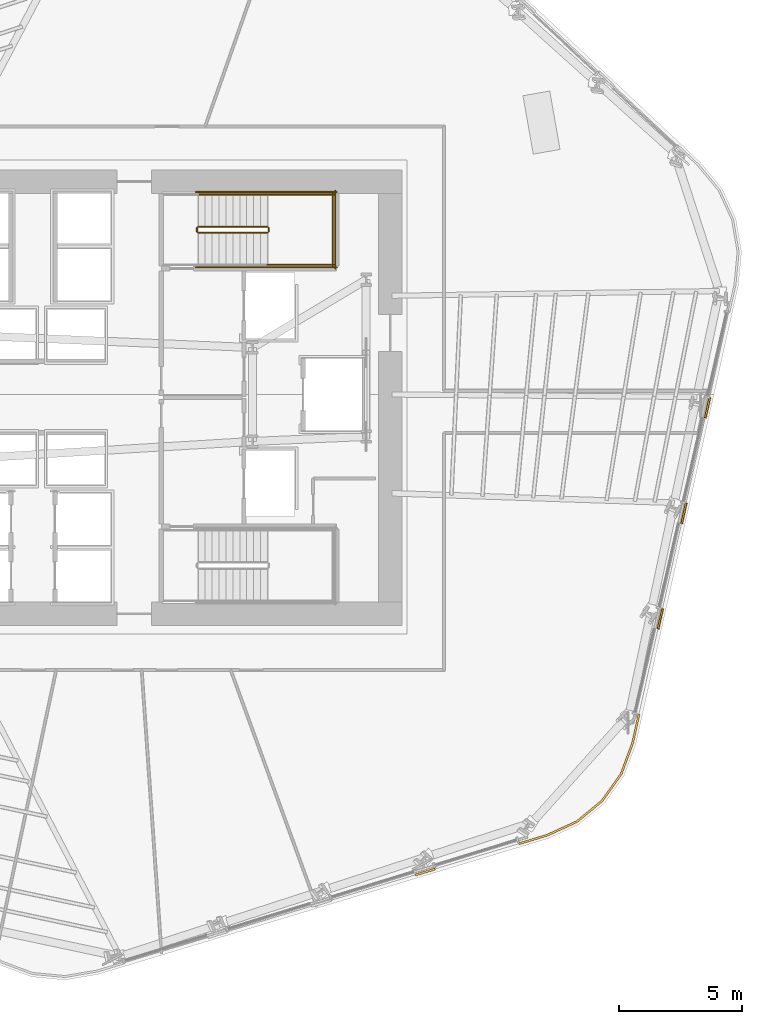
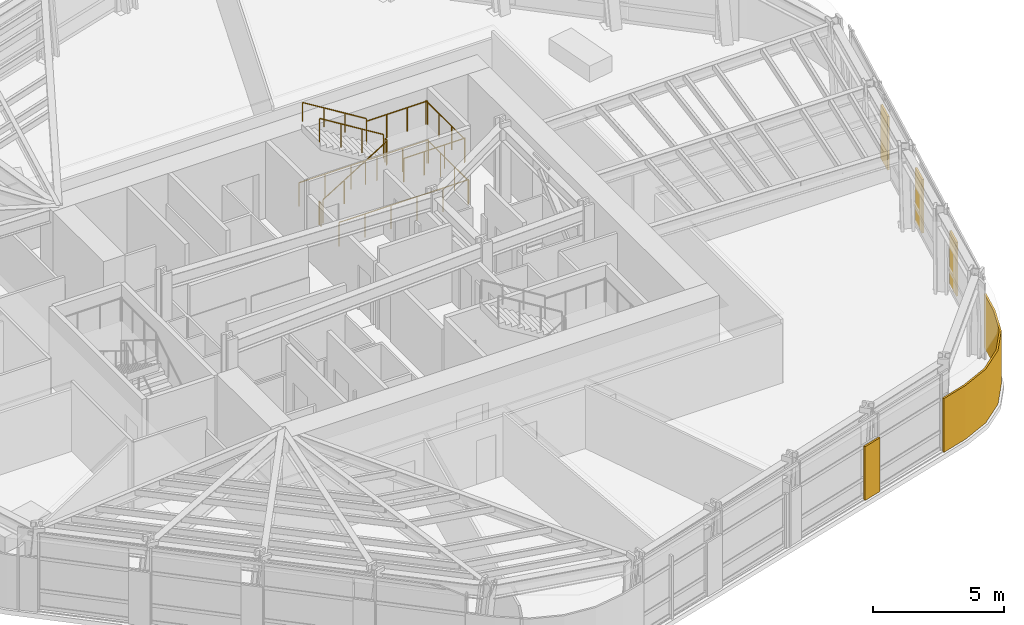
# One storey, part 14 of 16: 11 railings, 5 coverings.
"""IFC4 building model written with IfcOpenShell, lengths in metres."""

from ifc_helpers import new_model, si_unit, direction, frame, origin, origin_2d, place, context, subcontext, project, spatial, polyline, circle, outline, extrude, material, layer, layer_set, type_object, element, save


model = new_model("IFC4")

# Units and contexts
model_context = context("Model", 3, precision=1e-05, world=origin(), true_north=direction((0.0, 1.0)))
body_context = subcontext(model_context, "Body", "Model", "MODEL_VIEW")
ifc_project = project(units=[si_unit("LENGTHUNIT", "METRE"), si_unit("AREAUNIT", "SQUARE_METRE"), si_unit("VOLUMEUNIT", "CUBIC_METRE"), si_unit("PLANEANGLEUNIT", "RADIAN"), si_unit("MASSUNIT", "GRAM", prefix="KILO")], contexts=[model_context])

# Site, building, storey
site_placement = place(None, origin())
site = spatial("IfcSite", under=ifc_project, at=site_placement, CompositionType="ELEMENT")
building_placement = place(site_placement, origin())
building = spatial("IfcBuilding", under=site, at=building_placement, Name="Valkerne Bourse Tower", CompositionType="ELEMENT")
storey_placement = place(building_placement, frame((0.0, 0.0, 97.199951171875)))
storey = spatial("IfcBuildingStorey", under=building, at=storey_placement, Name="L24", CompositionType="ELEMENT", Elevation=97.199951171875)

# Coverings
ifc_material_1 = material(Name="Bronze Anodised Aluminium AA 6063-T6", Category="aluminium")
ifc_layer = layer(ifc_material_1, 0.06005859375)
ifc_layer_set = layer_set([ifc_layer], Name="Bronze Anodised Aluminium AA 6063-T6")
covering_type = type_object("IfcCoveringType", Name="COV-CRN-ALUM", PredefinedType="CLADDING", material=ifc_layer_set)
covering_1_placement = place(storey_placement, origin())
element("IfcCovering", 1, at=covering_1_placement, inside=storey, type_object=covering_type, Name="L24 Wind-Shaped Corner Aluminium Cladding 01", PredefinedType="CLADDING", context=body_context, shape_type="SweptSolid", body=[
    extrude(outline(polyline([(65.306884765625, 11.60400390625), (64.535888671875, 10.518798828125), (63.51025390625, 9.67041015625), (62.294189453125, 9.113525390625), (61.1416015625, 8.765625), (61.1181640625, 8.842041015625), (62.265869140625, 9.188720703125), (63.46728515625, 9.73876953125), (64.476806640625, 10.57373046875), (65.235595703125, 11.6416015625), (65.6962890625, 12.880126953125), (65.957763671875, 14.05029296875), (66.03564453125, 14.0322265625), (65.773193359375, 12.857421875), (65.306884765625, 11.60400390625)])), origin(), (0.0, 0.0, 1.0), 2.5),
])
covering_2_placement = place(storey_placement, origin())
element("IfcCovering", 2, at=covering_2_placement, inside=storey, type_object=covering_type, Name="L24 Wind-Shaped Corner Aluminium Cladding 02", PredefinedType="CLADDING", context=body_context, shape_type="SweptSolid", body=[
    extrude(outline(polyline([(56.945556640625, 7.4990234375), (56.922119140625, 7.57568359375), (57.726318359375, 7.818359375), (57.749755859375, 7.74169921875), (56.945556640625, 7.4990234375)])), origin(), (0.0, 0.0, 1.0), 2.5),
])
covering_3_placement = place(storey_placement, origin())
element("IfcCovering", 3, at=covering_3_placement, inside=storey, type_object=covering_type, Name="L24 Wind-Shaped Corner Aluminium Cladding 22", PredefinedType="CLADDING", context=body_context, shape_type="SweptSolid", body=[
    extrude(outline(polyline([(68.72021484375, 26.045166015625), (68.64208984375, 26.06298828125), (68.8251953125, 26.8828125), (68.9033203125, 26.864990234375), (68.72021484375, 26.045166015625)])), origin(), (0.0, 0.0, 1.0), 2.5),
])
covering_4_placement = place(storey_placement, origin())
element("IfcCovering", 4, at=covering_4_placement, inside=storey, type_object=covering_type, Name="L24 Wind-Shaped Corner Aluminium Cladding 23", PredefinedType="CLADDING", context=body_context, shape_type="SweptSolid", body=[
    extrude(outline(polyline([(67.76416015625, 21.767578125), (67.686279296875, 21.78564453125), (67.869384765625, 22.60546875), (67.947509765625, 22.58740234375), (67.76416015625, 21.767578125)])), origin(), (0.0, 0.0, 1.0), 2.5),
])
covering_5_placement = place(storey_placement, origin())
element("IfcCovering", 5, at=covering_5_placement, inside=storey, type_object=covering_type, Name="L24 Wind-Shaped Corner Aluminium Cladding 24", PredefinedType="CLADDING", context=body_context, shape_type="SweptSolid", body=[
    extrude(outline(polyline([(66.808349609375, 17.489990234375), (66.73046875, 17.508056640625), (66.91357421875, 18.327880859375), (66.99169921875, 18.309814453125), (66.808349609375, 17.489990234375)])), origin(), (0.0, 0.0, 1.0), 2.5),
])

# Railings
ifc_material_2 = material(Name="Galvanised Painted Steel", Category="steel")
railing_type_1 = type_object("IfcRailingType", Name="RLG-ST-GUARD-1120", PredefinedType="GUARDRAIL", material=ifc_material_2)
railing_1_placement = place(storey_placement, frame((48.14990234375, 33.550048828125, 0.1728515625)))
element("IfcRailing", 6, at=railing_1_placement, inside=storey, type_object=railing_type_1, Name="L24 ST-2 stair guard 1", PredefinedType="GUARDRAIL", context=body_context, shape_type="SweptSolid", body=[
    extrude(circle(Radius=0.02392578125, at=origin_2d()), frame((0.0, 0.0, 1.09619140625), z_axis=(0.851089632645, 0.0, 0.525020415988), x_axis=(0.0, 1.0, 0.0)), (0.0, 0.0, 1.0), 3.2900390625),
    extrude(circle(Radius=0.02099609375, at=origin_2d()), origin(), (0.0, 0.0, 1.0), 1.072021484375),
    extrude(circle(Radius=0.02099609375, at=origin_2d()), frame((0.933349609375, 0.0, 0.57568359375)), (0.0, 0.0, 1.0), 1.072021484375),
    extrude(circle(Radius=0.02099609375, at=origin_2d()), frame((1.86669921875, 0.0, 1.151611328125)), (0.0, 0.0, 1.0), 1.072021484375),
    extrude(circle(Radius=0.02099609375, at=origin_2d()), frame((2.800048828125, 0.0, 1.727294921875)), (0.0, 0.0, 1.0), 1.072021484375),
])
railing_2_placement = place(storey_placement, frame((51.0, 33.60009765625, 1.900146484375)))
element("IfcRailing", 7, at=railing_2_placement, inside=storey, type_object=railing_type_1, Name="L24 ST-2 stair guard 2", PredefinedType="GUARDRAIL", context=body_context, shape_type="SweptSolid", body=[
    extrude(circle(Radius=0.02392578125, at=origin_2d()), frame((0.0, 0.0, 1.09619140625), z_axis=(0.0, 1.0, 0.0), x_axis=(-1.0, 0.0, 0.0)), (0.0, 0.0, 1.0), 0.14990234375),
    extrude(circle(Radius=0.02099609375, at=origin_2d()), origin(), (0.0, 0.0, 1.0), 1.072021484375),
    extrude(circle(Radius=0.02099609375, at=origin_2d()), frame((0.0, 0.14990234375, 0.0)), (0.0, 0.0, 1.0), 1.072021484375),
])
for number, where, name in (
    (8, (50.949951171875, 32.25, 1.900146484375), "L24 ST-2 stair guard 3"),
    (9, (50.949951171875, 35.10009765625, 1.900146484375), "L24 ST-2 stair guard 4"),
):
    element("IfcRailing", number, at=place(storey_placement, frame(where)), inside=storey, type_object=railing_type_1, Name=name, PredefinedType="GUARDRAIL", context=body_context, shape_type="SweptSolid", body=[
        extrude(circle(Radius=0.02392578125, at=origin_2d()), frame((0.0, 0.0, 1.09619140625), z_axis=(1.0, 0.0, 0.0), x_axis=(0.0, 1.0, 0.0)), (0.0, 0.0, 1.0), 2.699951171875),
        extrude(circle(Radius=0.02099609375, at=origin_2d()), origin(), (0.0, 0.0, 1.0), 1.072021484375),
        extrude(circle(Radius=0.02099609375, at=origin_2d()), frame((0.89990234375, 0.0, 0.0)), (0.0, 0.0, 1.0), 1.072021484375),
        extrude(circle(Radius=0.02099609375, at=origin_2d()), frame((1.800048828125, 0.0, 0.0)), (0.0, 0.0, 1.0), 1.072021484375),
        extrude(circle(Radius=0.02099609375, at=origin_2d()), frame((2.699951171875, 0.0, 0.0)), (0.0, 0.0, 1.0), 1.072021484375),
    ])
railing_3_placement = place(storey_placement, frame((53.60009765625, 32.199951171875, 1.900146484375)))
element("IfcRailing", 10, at=railing_3_placement, inside=storey, type_object=railing_type_1, Name="L24 ST-2 stair guard 5", PredefinedType="GUARDRAIL", context=body_context, shape_type="SweptSolid", body=[
    extrude(circle(Radius=0.02392578125, at=origin_2d()), frame((0.0, 0.0, 1.09619140625), z_axis=(0.0, 1.0, 0.0), x_axis=(-1.0, 0.0, 0.0)), (0.0, 0.0, 1.0), 2.949951171875),
    extrude(circle(Radius=0.02099609375, at=origin_2d()), origin(), (0.0, 0.0, 1.0), 1.072021484375),
    extrude(circle(Radius=0.02099609375, at=origin_2d()), frame((0.0, 0.9833984375, 0.0)), (0.0, 0.0, 1.0), 1.072021484375),
    extrude(circle(Radius=0.02099609375, at=origin_2d()), frame((0.0, 1.966552734375, 0.0)), (0.0, 0.0, 1.0), 1.072021484375),
    extrude(circle(Radius=0.02099609375, at=origin_2d()), frame((0.0, 2.949951171875, 0.0)), (0.0, 0.0, 1.0), 1.072021484375),
])
railing_4_placement = place(storey_placement, frame((50.949951171875, 33.800048828125, 2.07275390625)))
element("IfcRailing", 11, at=railing_4_placement, inside=storey, type_object=railing_type_1, Name="L24 ST-2 stair guard 6", PredefinedType="GUARDRAIL", context=body_context, shape_type="SweptSolid", body=[
    extrude(circle(Radius=0.02392578125, at=origin_2d()), frame((0.0, 0.0, 1.09619140625), z_axis=(-0.851089632645, 0.0, 0.525020415988), x_axis=(0.0, -1.0, 0.0)), (0.0, 0.0, 1.0), 3.2900390625),
    extrude(circle(Radius=0.02099609375, at=origin_2d()), origin(), (0.0, 0.0, 1.0), 1.072021484375),
    extrude(circle(Radius=0.02099609375, at=origin_2d()), frame((-0.933349609375, 0.0, 0.57568359375)), (0.0, 0.0, 1.0), 1.072021484375),
    extrude(circle(Radius=0.02099609375, at=origin_2d()), frame((-1.86669921875, 0.0, 1.151611328125)), (0.0, 0.0, 1.0), 1.072021484375),
    extrude(circle(Radius=0.02099609375, at=origin_2d()), frame((-2.800048828125, 0.0, 1.727294921875)), (0.0, 0.0, 1.0), 1.072021484375),
])
railing_5_placement = place(storey_placement, frame((48.10009765625, 33.60009765625, 0.0)))
element("IfcRailing", 12, at=railing_5_placement, inside=storey, type_object=railing_type_1, Name="L24 ST-2 stair guard 7", PredefinedType="GUARDRAIL", context=body_context, shape_type="SweptSolid", body=[
    extrude(circle(Radius=0.02392578125, at=origin_2d()), frame((0.0, 0.0, 1.09619140625), z_axis=(0.0, 1.0, 0.0), x_axis=(-1.0, 0.0, 0.0)), (0.0, 0.0, 1.0), 0.14990234375),
    extrude(circle(Radius=0.02099609375, at=origin_2d()), origin(), (0.0, 0.0, 1.0), 1.072021484375),
    extrude(circle(Radius=0.02099609375, at=origin_2d()), frame((0.0, 0.14990234375, 0.0)), (0.0, 0.0, 1.0), 1.072021484375),
])
for number, where, name in (
    (13, (48.050048828125, 32.14990234375, 0.0), "L24 ST-2 stair guard 10"),
    (14, (48.050048828125, 35.199951171875, 0.0), "L24 ST-2 stair guard 11"),
):
    element("IfcRailing", number, at=place(storey_placement, frame(where)), inside=storey, type_object=railing_type_1, Name=name, PredefinedType="GUARDRAIL", context=body_context, shape_type="SweptSolid", body=[
        extrude(circle(Radius=0.02392578125, at=origin_2d()), frame((0.0, 0.0, 1.09619140625), z_axis=(1.0, 0.0, 0.0), x_axis=(0.0, 1.0, 0.0)), (0.0, 0.0, 1.0), 5.699951171875),
        extrude(circle(Radius=0.02099609375, at=origin_2d()), origin(), (0.0, 0.0, 1.0), 1.072021484375),
        extrude(circle(Radius=0.02099609375, at=origin_2d()), frame((1.139892578125, 0.0, 0.0)), (0.0, 0.0, 1.0), 1.072021484375),
        extrude(circle(Radius=0.02099609375, at=origin_2d()), frame((2.280029296875, 0.0, 0.0)), (0.0, 0.0, 1.0), 1.072021484375),
        extrude(circle(Radius=0.02099609375, at=origin_2d()), frame((3.419921875, 0.0, 0.0)), (0.0, 0.0, 1.0), 1.072021484375),
        extrude(circle(Radius=0.02099609375, at=origin_2d()), frame((4.56005859375, 0.0, 0.0)), (0.0, 0.0, 1.0), 1.072021484375),
        extrude(circle(Radius=0.02099609375, at=origin_2d()), frame((5.699951171875, 0.0, 0.0)), (0.0, 0.0, 1.0), 1.072021484375),
    ])
railing_6_placement = place(storey_placement, frame((53.699951171875, 32.10009765625, 0.0)))
element("IfcRailing", 15, at=railing_6_placement, inside=storey, type_object=railing_type_1, Name="L24 ST-2 stair guard 12", PredefinedType="GUARDRAIL", context=body_context, shape_type="SweptSolid", body=[
    extrude(circle(Radius=0.02392578125, at=origin_2d()), frame((0.0, 0.0, 1.09619140625), z_axis=(0.0, 1.0, 0.0), x_axis=(-1.0, 0.0, 0.0)), (0.0, 0.0, 1.0), 3.14990234375),
    extrude(circle(Radius=0.02099609375, at=origin_2d()), origin(), (0.0, 0.0, 1.0), 1.072021484375),
    extrude(circle(Radius=0.02099609375, at=origin_2d()), frame((0.0, 1.050048828125, 0.0)), (0.0, 0.0, 1.0), 1.072021484375),
    extrude(circle(Radius=0.02099609375, at=origin_2d()), frame((0.0, 2.099853515625, 0.0)), (0.0, 0.0, 1.0), 1.072021484375),
    extrude(circle(Radius=0.02099609375, at=origin_2d()), frame((0.0, 3.14990234375, 0.0)), (0.0, 0.0, 1.0), 1.072021484375),
])
ifc_material_3 = material(Name="Stainless Steel AISI 316", Category="steel")
railing_type_2 = type_object("IfcRailingType", Name="RLG-ST-HANDRAIL-900", PredefinedType="HANDRAIL", material=ifc_material_3)
railing_7_placement = place(storey_placement, frame((50.949951171875, 35.10009765625, 2.24560546875)))
element("IfcRailing", 16, at=railing_7_placement, inside=storey, type_object=railing_type_2, Name="L24 ST-2 stair handrail 2", PredefinedType="HANDRAIL", context=body_context, shape_type="SweptSolid", body=[
    extrude(circle(Radius=0.02392578125, at=origin_2d()), frame((0.0, 0.0, 0.8759765625), z_axis=(-0.851122791225, 0.0, 0.524966660138), x_axis=(0.0, -1.0, 0.0)), (0.0, 0.0, 1.0), 3.289794921875),
    extrude(circle(Radius=0.02099609375, at=origin_2d()), origin(), (0.0, 0.0, 1.0), 0.851806640625),
    extrude(circle(Radius=0.02099609375, at=origin_2d()), frame((-0.933349609375, 0.0, 0.57568359375)), (0.0, 0.0, 1.0), 0.851806640625),
    extrude(circle(Radius=0.02099609375, at=origin_2d()), frame((-1.86669921875, 0.0, 1.1513671875)), (0.0, 0.0, 1.0), 0.851806640625),
    extrude(circle(Radius=0.02099609375, at=origin_2d()), frame((-2.800048828125, 0.0, 1.72705078125)), (0.0, 0.0, 1.0), 0.851806640625),
])

save(model, "model.ifc")
